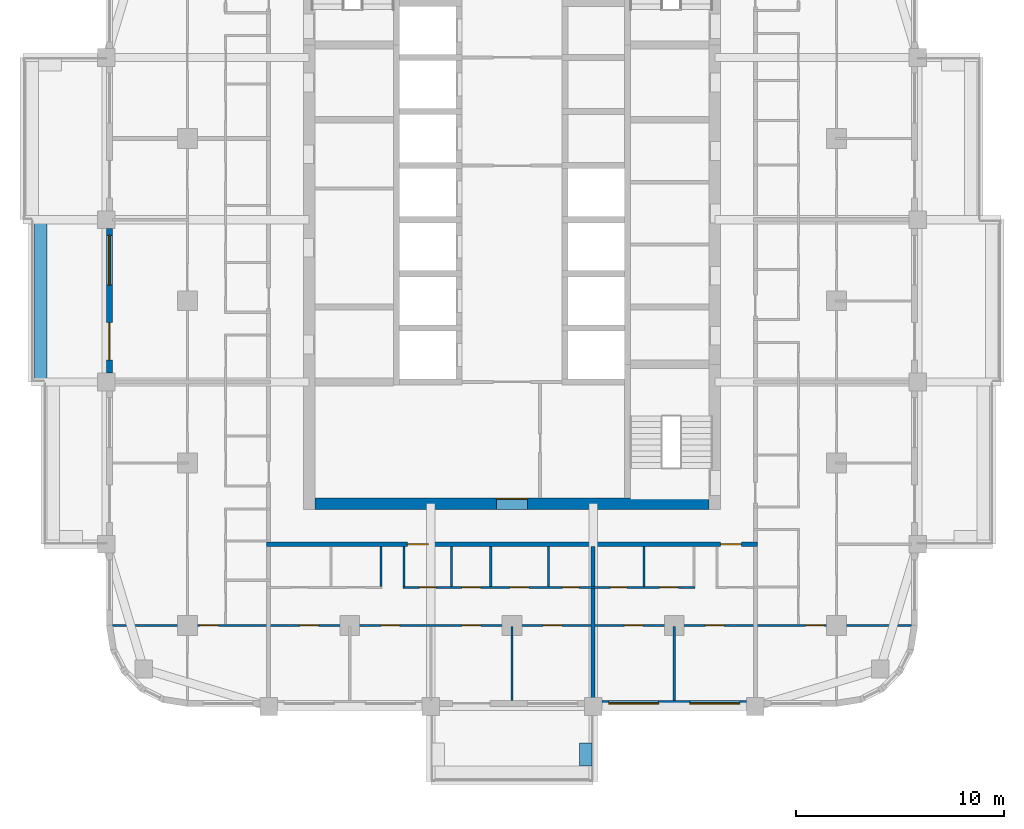
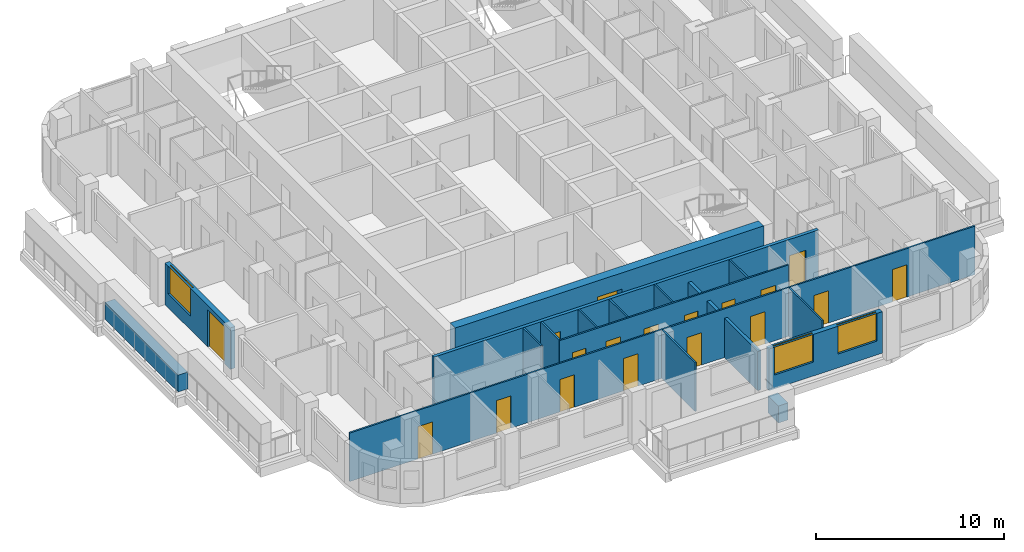
# One storey, part 3 of 13: 18 doors, 17 walls, 3 windows, 21 openings.
"""IFC4 building model written with IfcOpenShell, lengths in metres."""

from ifc_helpers import new_model, si_unit, direction, frame, frame_2d, origin, place, context, subcontext, project, spatial, rectangle, extrude, material, layer, layer_set, type_object, element, fill, save


model = new_model("IFC4")

# Units and contexts
model_context = context("Model", 3, precision=1e-05, world=origin(), true_north=direction((0.0, 1.0)))
body_context = subcontext(model_context, "Body", "Model", "MODEL_VIEW")
ifc_project = project(units=[si_unit("LENGTHUNIT", "METRE"), si_unit("AREAUNIT", "SQUARE_METRE"), si_unit("VOLUMEUNIT", "CUBIC_METRE"), si_unit("PLANEANGLEUNIT", "RADIAN"), si_unit("MASSUNIT", "GRAM", prefix="KILO")], contexts=[model_context])

# Site, building, storey
site_placement = place(None, origin())
site = spatial("IfcSite", under=ifc_project, at=site_placement, CompositionType="ELEMENT")
building_placement = place(site_placement, origin())
building = spatial("IfcBuilding", under=site, at=building_placement, Name="Ludao Terraces", CompositionType="ELEMENT")
storey_placement = place(building_placement, frame((0.0, 0.0, 130.5)))
storey = spatial("IfcBuildingStorey", under=building, at=storey_placement, Name="L35", CompositionType="ELEMENT", Elevation=130.5)

# Wall, opening, door
ifc_material_1 = material(Name="Concrete C60", Category="concrete")
ifc_layer_1 = layer(ifc_material_1, 0.550048828125)
ifc_layer_set_1 = layer_set([ifc_layer_1], Name="Core wall 550 C60")
wall_type_1 = type_object("IfcWallType", Name="Core wall 550 C60", PredefinedType="SOLIDWALL", material=ifc_layer_set_1)
wall_1_placement = place(storey_placement, frame((75.52490234375, 55.25, -0.25), z_axis=(0.0, 0.0, 1.0), x_axis=(1.0, 0.0, 0.0)))
wall_1 = element("IfcWall", 1, at=wall_1_placement, inside=storey, type_object=wall_type_1, Name="Core wall L35 outer-S", PredefinedType="SOLIDWALL", context=body_context, shape_type="SweptSolid", body=[
    extrude(rectangle(XDim=18.9501953125, YDim=0.550048828125, at=frame_2d((9.47509765625, 0.0))), origin(), (0.0, 0.0, 1.0), 3.39990234375),
])
opening_1_placement = place(wall_1_placement, frame((8.72509765625, 0.0, 0.25)))
opening_1 = element("IfcOpeningElement", 2, at=opening_1_placement, cuts=wall_1, Name="Opening R11-029", PredefinedType="OPENING", context=body_context, shape_type="SweptSolid", body=[
    extrude(rectangle(XDim=1.5, YDim=2.10009765625, at=frame_2d((0.75, 1.050048828125))), frame((0.0, 0.28515625, 0.0), z_axis=(0.0, -1.0, 0.0), x_axis=(1.0, 0.0, 0.0)), (0.0, 0.0, 1.0), 0.570068359375),
])
ifc_material_2 = material(Name="Steel Q235", Category="steel")
door_type_1 = type_object("IfcDoorType", Name="INT Lobby door 1500", OperationType="DOUBLE_DOOR_SINGLE_SWING", PredefinedType="DOOR", material=ifc_material_2)
door_1_placement = place(opening_1_placement, origin())
door_1 = element("IfcDoor", 3, at=door_1_placement, inside=storey, type_object=door_type_1, Name="DOOR 029", OperationType="DOUBLE_DOOR_SINGLE_SWING", OverallHeight=2.10009765625, OverallWidth=1.5, PredefinedType="DOOR", context=body_context, shape_type="SweptSolid", body=[
    extrude(rectangle(XDim=1.5, YDim=2.10009765625, at=frame_2d((0.75, 1.050048828125))), frame((0.0, 0.26025390625, 0.0), z_axis=(0.0, -1.0, 0.0), x_axis=(1.0, 0.0, 0.0)), (0.0, 0.0, 1.0), 0.050048828125),
])
fill(opening_1, door_1)

# Walls
ifc_material_3 = material(Name="Concrete C40", Category="concrete")
ifc_layer_2 = layer(ifc_material_3, 0.60009765625)
ifc_layer_set_2 = layer_set([ifc_layer_2], Name="ENV Planter trough 600")
wall_type_2 = type_object("IfcWallType", Name="ENV Planter trough 600", PredefinedType="USERDEFINED", material=ifc_layer_set_2)
wall_2_placement = place(storey_placement, frame((88.550048828125, 42.64990234375, 0.0), z_axis=(0.0, 0.0, 1.0), x_axis=(0.0, 1.0, 0.0)))
element("IfcWall", 4, at=wall_2_placement, inside=storey, type_object=wall_type_2, Name="PL-L35-S1-SB", ObjectType="PLANTER", PredefinedType="USERDEFINED", context=body_context, shape_type="SweptSolid", body=[
    extrude(rectangle(XDim=1.10009765625, YDim=0.60009765625, at=frame_2d((0.550048828125, 0.0))), origin(), (0.0, 0.0, 1.0), 1.10009765625),
])
wall_3_placement = place(storey_placement, frame((62.35009765625, 61.10009765625, 0.0), z_axis=(0.0, 0.0, 1.0), x_axis=(0.0, 1.0, 0.0)))
element("IfcWall", 5, at=wall_3_placement, inside=storey, type_object=wall_type_2, Name="PL-L35-W2", ObjectType="PLANTER", PredefinedType="USERDEFINED", context=body_context, shape_type="SweptSolid", body=[
    extrude(rectangle(XDim=7.7998046875, YDim=0.60009765625, at=frame_2d((3.89990234375, 0.0))), origin(), (0.0, 0.0, 1.0), 1.10009765625),
])

# Wall, openings, windows
ifc_material_4 = material(Name="Granite cladding", Category="masonry")
ifc_layer_3 = layer(ifc_material_4, 0.0400390625, Category="stone")
ifc_material_5 = material(Name="Mineral wool")
ifc_layer_4 = layer(ifc_material_5, 0.06005859375)
ifc_layer_5 = layer(ifc_material_3, 0.199951171875, Category="concrete")
ifc_layer_set_3 = layer_set([ifc_layer_3, ifc_layer_4, ifc_layer_5], Name="ENV Stone-clad wall 300")
wall_type_3 = type_object("IfcWallType", Name="ENV Stone-clad wall 300", PredefinedType="SOLIDWALL", material=ifc_layer_set_3)
wall_4_placement = place(storey_placement, frame((89.324951171875, 45.64990234375, 0.0), z_axis=(0.0, 0.0, 1.0), x_axis=(1.0, 0.0, 0.0)))
wall_4 = element("IfcWall", 6, at=wall_4_placement, inside=storey, type_object=wall_type_3, Name="EW-L35-S4", PredefinedType="SOLIDWALL", context=body_context, shape_type="SweptSolid", body=[
    extrude(rectangle(XDim=6.949951171875, YDim=0.300048828125, at=frame_2d((3.47509765625, 0.0))), origin(), (0.0, 0.0, 1.0), 2.699951171875),
])
opening_2_placement = place(wall_4_placement, frame((0.324951171875, 0.0, 0.89990234375)))
opening_2 = element("IfcOpeningElement", 7, at=opening_2_placement, cuts=wall_4, Name="Opening W1", PredefinedType="OPENING", context=body_context, shape_type="SweptSolid", body=[
    extrude(rectangle(XDim=2.39990234375, YDim=1.800048828125, at=frame_2d((1.199951171875, 0.89990234375))), frame((0.0, 0.16015625, 0.0), z_axis=(0.0, -1.0, 0.0), x_axis=(1.0, 0.0, 0.0)), (0.0, 0.0, 1.0), 0.320068359375),
])
opening_3_placement = place(wall_4_placement, frame((4.22509765625, 0.0, 0.89990234375)))
opening_3 = element("IfcOpeningElement", 8, at=opening_3_placement, cuts=wall_4, Name="Opening W1", PredefinedType="OPENING", context=body_context, shape_type="SweptSolid", body=[
    extrude(rectangle(XDim=2.39990234375, YDim=1.800048828125, at=frame_2d((1.199951171875, 0.89990234375))), frame((0.0, 0.16015625, 0.0), z_axis=(0.0, -1.0, 0.0), x_axis=(1.0, 0.0, 0.0)), (0.0, 0.0, 1.0), 0.320068359375),
])
ifc_material_6 = material(Name="Clear glass in aluminium frame", Category="aluminium")
ifc_layer_6 = layer(ifc_material_6, 0.06005859375)
ifc_layer_set_4 = layer_set([ifc_layer_6], Name="ENV Window W1 2400x1800")
window_type = type_object("IfcWindowType", Name="ENV Window W1 2400x1800", PartitioningType="DOUBLE_PANEL_VERTICAL", PredefinedType="WINDOW", material=ifc_layer_set_4)
window_1_placement = place(opening_2_placement, origin())
window_1 = element("IfcWindow", 9, at=window_1_placement, inside=storey, type_object=window_type, Name="W-L35-S4-1", OverallHeight=1.800048828125, OverallWidth=2.39990234375, PartitioningType="DOUBLE_PANEL_VERTICAL", PredefinedType="WINDOW", context=body_context, shape_type="SweptSolid", body=[
    extrude(rectangle(XDim=2.39990234375, YDim=1.800048828125, at=frame_2d((1.199951171875, 0.89990234375))), frame((0.0, 0.030029296875, 0.0), z_axis=(0.0, -1.0, 0.0), x_axis=(1.0, 0.0, 0.0)), (0.0, 0.0, 1.0), 0.06005859375),
])
fill(opening_2, window_1)
window_2_placement = place(opening_3_placement, origin())
window_2 = element("IfcWindow", 10, at=window_2_placement, inside=storey, type_object=window_type, Name="W-L35-S4-2", OverallHeight=1.800048828125, OverallWidth=2.39990234375, PartitioningType="DOUBLE_PANEL_VERTICAL", PredefinedType="WINDOW", context=body_context, shape_type="SweptSolid", body=[
    extrude(rectangle(XDim=2.39990234375, YDim=1.800048828125, at=frame_2d((1.199951171875, 0.89990234375))), frame((0.0, 0.030029296875, 0.0), z_axis=(0.0, -1.0, 0.0), x_axis=(1.0, 0.0, 0.0)), (0.0, 0.0, 1.0), 0.06005859375),
])
fill(opening_3, window_2)

# Wall, openings, door, window
wall_5_placement = place(storey_placement, frame((65.64990234375, 61.52490234375, 0.0), z_axis=(0.0, 0.0, 1.0), x_axis=(0.0, 1.0, 0.0)))
wall_5 = element("IfcWall", 11, at=wall_5_placement, inside=storey, type_object=wall_type_3, Name="EW-L35-W3", PredefinedType="SOLIDWALL", context=body_context, shape_type="SweptSolid", body=[
    extrude(rectangle(XDim=6.9501953125, YDim=0.300048828125, at=frame_2d((3.47509765625, 0.0))), origin(), (0.0, 0.0, 1.0), 2.699951171875),
])
opening_4_placement = place(wall_5_placement, frame((0.625, 0.0, 0.0)))
opening_4 = element("IfcOpeningElement", 12, at=opening_4_placement, cuts=wall_5, Name="Opening BD", PredefinedType="OPENING", context=body_context, shape_type="SweptSolid", body=[
    extrude(rectangle(XDim=1.800048828125, YDim=2.39990234375, at=frame_2d((0.89990234375, 1.199951171875))), frame((0.0, 0.16015625, 0.0), z_axis=(0.0, -1.0, 0.0), x_axis=(1.0, 0.0, 0.0)), (0.0, 0.0, 1.0), 0.320068359375),
])
opening_5_placement = place(wall_5_placement, frame((4.22509765625, 0.0, 0.89990234375)))
opening_5 = element("IfcOpeningElement", 13, at=opening_5_placement, cuts=wall_5, Name="Opening W1", PredefinedType="OPENING", context=body_context, shape_type="SweptSolid", body=[
    extrude(rectangle(XDim=2.39990234375, YDim=1.800048828125, at=frame_2d((1.199951171875, 0.89990234375))), frame((0.0, 0.16015625, 0.0), z_axis=(0.0, -1.0, 0.0), x_axis=(1.0, 0.0, 0.0)), (0.0, 0.0, 1.0), 0.320068359375),
])
ifc_material_7 = material(Name="Aluminium glazed door", Category="aluminium")
ifc_layer_7 = layer(ifc_material_7, 0.06005859375)
ifc_layer_set_5 = layer_set([ifc_layer_7], Name="ENV Balcony door BD 1800x2400")
door_type_2 = type_object("IfcDoorType", Name="ENV Balcony door BD 1800x2400", OperationType="DOUBLE_DOOR_SINGLE_SWING", PredefinedType="DOOR", material=ifc_layer_set_5)
door_2_placement = place(opening_4_placement, origin())
door_2 = element("IfcDoor", 14, at=door_2_placement, inside=storey, type_object=door_type_2, Name="BD-L35-W3-1", OperationType="DOUBLE_DOOR_SINGLE_SWING", OverallHeight=2.39990234375, OverallWidth=1.800048828125, PredefinedType="DOOR", context=body_context, shape_type="SweptSolid", body=[
    extrude(rectangle(XDim=1.800048828125, YDim=2.39990234375, at=frame_2d((0.89990234375, 1.199951171875))), frame((0.0, 0.02490234375, 0.0), z_axis=(0.0, -1.0, 0.0), x_axis=(1.0, 0.0, 0.0)), (0.0, 0.0, 1.0), 0.050048828125),
])
fill(opening_4, door_2)
window_3_placement = place(opening_5_placement, origin())
window_3 = element("IfcWindow", 15, at=window_3_placement, inside=storey, type_object=window_type, Name="W-L35-W3-2", OverallHeight=1.800048828125, OverallWidth=2.39990234375, PartitioningType="DOUBLE_PANEL_VERTICAL", PredefinedType="WINDOW", context=body_context, shape_type="SweptSolid", body=[
    extrude(rectangle(XDim=2.39990234375, YDim=1.800048828125, at=frame_2d((1.199951171875, 0.89990234375))), frame((0.0, 0.030029296875, 0.0), z_axis=(0.0, -1.0, 0.0), x_axis=(1.0, 0.0, 0.0)), (0.0, 0.0, 1.0), 0.06005859375),
])
fill(opening_5, window_3)

# Wall, openings, doors
ifc_material_8 = material(Name="Autoclaved aerated concrete block B06 A3.5", Category="concrete")
ifc_layer_8 = layer(ifc_material_8, 0.199951171875)
ifc_layer_set_6 = layer_set([ifc_layer_8], Name="INT Entrance wall 200")
wall_type_4 = type_object("IfcWallType", Name="INT Entrance wall 200", PredefinedType="PARTITIONING", material=ifc_layer_set_6)
wall_6_placement = place(storey_placement, frame((73.2001953125, 53.300048828125, 0.0), z_axis=(0.0, 0.0, 1.0), x_axis=(1.0, 0.0, 0.0)))
wall_6 = element("IfcWall", 16, at=wall_6_placement, inside=storey, type_object=wall_type_4, Name="PW-L35-PW006", PredefinedType="PARTITIONING", context=body_context, shape_type="SweptSolid", body=[
    extrude(rectangle(XDim=23.599853515625, YDim=0.199951171875, at=frame_2d((11.7998046875, 0.0))), origin(), (0.0, 0.0, 1.0), 3.14990234375),
])
opening_6_placement = place(wall_6_placement, frame((6.77490234375, 0.0, 0.0)))
opening_6 = element("IfcOpeningElement", 17, at=opening_6_placement, cuts=wall_6, Name="Opening R11-026", PredefinedType="OPENING", context=body_context, shape_type="SweptSolid", body=[
    extrude(rectangle(XDim=1.0, YDim=2.10009765625, at=frame_2d((0.5, 1.050048828125))), frame((0.0, 0.10986328125, 0.0), z_axis=(0.0, -1.0, 0.0), x_axis=(1.0, 0.0, 0.0)), (0.0, 0.0, 1.0), 0.219970703125),
])
opening_7_placement = place(wall_6_placement, frame((21.824951171875, 0.0, 0.0)))
opening_7 = element("IfcOpeningElement", 18, at=opening_7_placement, cuts=wall_6, Name="Opening R11-027", PredefinedType="OPENING", context=body_context, shape_type="SweptSolid", body=[
    extrude(rectangle(XDim=1.0, YDim=2.10009765625, at=frame_2d((0.5, 1.050048828125))), frame((0.0, 0.10986328125, 0.0), z_axis=(0.0, -1.0, 0.0), x_axis=(1.0, 0.0, 0.0)), (0.0, 0.0, 1.0), 0.219970703125),
])
door_type_3 = type_object("IfcDoorType", Name="INT Flat entrance door 1000", OperationType="SINGLE_SWING_LEFT", PredefinedType="DOOR", material=ifc_material_2)
door_3_placement = place(opening_6_placement, origin())
door_3 = element("IfcDoor", 19, at=door_3_placement, inside=storey, type_object=door_type_3, Name="DOOR 026", OperationType="SINGLE_SWING_LEFT", OverallHeight=2.10009765625, OverallWidth=1.0, PredefinedType="DOOR", context=body_context, shape_type="SweptSolid", body=[
    extrude(rectangle(XDim=1.0, YDim=2.10009765625, at=frame_2d((0.5, 1.050048828125))), frame((0.0, 0.02490234375, 0.0), z_axis=(0.0, -1.0, 0.0), x_axis=(1.0, 0.0, 0.0)), (0.0, 0.0, 1.0), 0.050048828125),
])
fill(opening_6, door_3)
door_4_placement = place(opening_7_placement, origin())
door_4 = element("IfcDoor", 20, at=door_4_placement, inside=storey, type_object=door_type_3, Name="DOOR 027", OperationType="SINGLE_SWING_LEFT", OverallHeight=2.10009765625, OverallWidth=1.0, PredefinedType="DOOR", context=body_context, shape_type="SweptSolid", body=[
    extrude(rectangle(XDim=1.0, YDim=2.10009765625, at=frame_2d((0.5, 1.050048828125))), frame((0.0, 0.02490234375, 0.0), z_axis=(0.0, -1.0, 0.0), x_axis=(1.0, 0.0, 0.0)), (0.0, 0.0, 1.0), 0.050048828125),
])
fill(opening_7, door_4)

ifc_material_9 = material(Name="Gypsum plasterboard", Category="gypsum")
ifc_layer_9 = layer(ifc_material_9, 0.012451171875, Category="gypsum")
ifc_layer_10 = layer(ifc_material_5, 0.06005859375, Name="insulation")
ifc_layer_11 = layer(ifc_material_2, 0.014892578125, Name="stud")
ifc_layer_12 = layer(ifc_material_9, 0.012451171875, Category="gypsum")
ifc_layer_set_7 = layer_set([ifc_layer_9, ifc_layer_10, ifc_layer_11, ifc_layer_12], Name="INT Partition 100")
wall_type_5 = type_object("IfcWallType", Name="INT Partition 100", PredefinedType="PARTITIONING", material=ifc_layer_set_7)
wall_7_placement = place(storey_placement, frame((65.800048828125, 49.39990234375, 0.0), z_axis=(0.0, 0.0, 1.0), x_axis=(1.0, 0.0, 0.0)))
wall_7 = element("IfcWall", 21, at=wall_7_placement, inside=storey, type_object=wall_type_5, Name="PW-L35-PW000", PredefinedType="PARTITIONING", context=body_context, shape_type="SweptSolid", body=[
    extrude(rectangle(XDim=38.400146484375, YDim=0.10009765625, at=frame_2d((19.2001953125, 0.0))), origin(), (0.0, 0.0, 1.0), 3.14990234375),
])
opening_8_placement = place(wall_7_placement, frame((4.18994140625, 0.0, 0.0)))
opening_8 = element("IfcOpeningElement", 22, at=opening_8_placement, cuts=wall_7, Name="Opening R11-003", PredefinedType="OPENING", context=body_context, shape_type="SweptSolid", body=[
    extrude(rectangle(XDim=0.89990234375, YDim=2.10009765625, at=frame_2d((0.449951171875, 1.050048828125))), frame((0.0, 0.06005859375, 0.0), z_axis=(0.0, -1.0, 0.0), x_axis=(1.0, 0.0, 0.0)), (0.0, 0.0, 1.0), 0.1201171875),
])
opening_9_placement = place(wall_7_placement, frame((9.0, 0.0, 0.0)))
opening_9 = element("IfcOpeningElement", 23, at=opening_9_placement, cuts=wall_7, Name="Opening R11-004", PredefinedType="OPENING", context=body_context, shape_type="SweptSolid", body=[
    extrude(rectangle(XDim=0.89990234375, YDim=2.10009765625, at=frame_2d((0.449951171875, 1.050048828125))), frame((0.0, 0.06005859375, 0.0), z_axis=(0.0, -1.0, 0.0), x_axis=(1.0, 0.0, 0.0)), (0.0, 0.0, 1.0), 0.1201171875),
])
opening_10_placement = place(wall_7_placement, frame((12.89990234375, 0.0, 0.0)))
opening_10 = element("IfcOpeningElement", 24, at=opening_10_placement, cuts=wall_7, Name="Opening R11-005", PredefinedType="OPENING", context=body_context, shape_type="SweptSolid", body=[
    extrude(rectangle(XDim=0.89990234375, YDim=2.10009765625, at=frame_2d((0.449951171875, 1.050048828125))), frame((0.0, 0.06005859375, 0.0), z_axis=(0.0, -1.0, 0.0), x_axis=(1.0, 0.0, 0.0)), (0.0, 0.0, 1.0), 0.1201171875),
])
opening_11_placement = place(wall_7_placement, frame((16.800048828125, 0.0, 0.0)))
opening_11 = element("IfcOpeningElement", 25, at=opening_11_placement, cuts=wall_7, Name="Opening R11-006", PredefinedType="OPENING", context=body_context, shape_type="SweptSolid", body=[
    extrude(rectangle(XDim=0.89990234375, YDim=2.10009765625, at=frame_2d((0.449951171875, 1.050048828125))), frame((0.0, 0.06005859375, 0.0), z_axis=(0.0, -1.0, 0.0), x_axis=(1.0, 0.0, 0.0)), (0.0, 0.0, 1.0), 0.1201171875),
])
opening_12_placement = place(wall_7_placement, frame((20.699951171875, 0.0, 0.0)))
opening_12 = element("IfcOpeningElement", 26, at=opening_12_placement, cuts=wall_7, Name="Opening R11-007", PredefinedType="OPENING", context=body_context, shape_type="SweptSolid", body=[
    extrude(rectangle(XDim=0.89990234375, YDim=2.10009765625, at=frame_2d((0.449951171875, 1.050048828125))), frame((0.0, 0.06005859375, 0.0), z_axis=(0.0, -1.0, 0.0), x_axis=(1.0, 0.0, 0.0)), (0.0, 0.0, 1.0), 0.1201171875),
])
opening_13_placement = place(wall_7_placement, frame((24.60009765625, 0.0, 0.0)))
opening_13 = element("IfcOpeningElement", 27, at=opening_13_placement, cuts=wall_7, Name="Opening R11-008", PredefinedType="OPENING", context=body_context, shape_type="SweptSolid", body=[
    extrude(rectangle(XDim=0.89990234375, YDim=2.10009765625, at=frame_2d((0.449951171875, 1.050048828125))), frame((0.0, 0.06005859375, 0.0), z_axis=(0.0, -1.0, 0.0), x_axis=(1.0, 0.0, 0.0)), (0.0, 0.0, 1.0), 0.1201171875),
])
opening_14_placement = place(wall_7_placement, frame((28.5, 0.0, 0.0)))
opening_14 = element("IfcOpeningElement", 28, at=opening_14_placement, cuts=wall_7, Name="Opening R11-009", PredefinedType="OPENING", context=body_context, shape_type="SweptSolid", body=[
    extrude(rectangle(XDim=0.89990234375, YDim=2.10009765625, at=frame_2d((0.449951171875, 1.050048828125))), frame((0.0, 0.06005859375, 0.0), z_axis=(0.0, -1.0, 0.0), x_axis=(1.0, 0.0, 0.0)), (0.0, 0.0, 1.0), 0.1201171875),
])
opening_15_placement = place(wall_7_placement, frame((33.31005859375, 0.0, 0.0)))
opening_15 = element("IfcOpeningElement", 29, at=opening_15_placement, cuts=wall_7, Name="Opening R11-010", PredefinedType="OPENING", context=body_context, shape_type="SweptSolid", body=[
    extrude(rectangle(XDim=0.89990234375, YDim=2.10009765625, at=frame_2d((0.449951171875, 1.050048828125))), frame((0.0, 0.06005859375, 0.0), z_axis=(0.0, -1.0, 0.0), x_axis=(1.0, 0.0, 0.0)), (0.0, 0.0, 1.0), 0.1201171875),
])
ifc_material_10 = material(Name="Timber door leaf", Category="wood")
door_type_4 = type_object("IfcDoorType", Name="INT Room door 900", OperationType="SINGLE_SWING_LEFT", PredefinedType="DOOR", material=ifc_material_10)
door_5_placement = place(opening_8_placement, origin())
door_5 = element("IfcDoor", 30, at=door_5_placement, inside=storey, type_object=door_type_4, Name="DOOR 003", OperationType="SINGLE_SWING_RIGHT", OverallHeight=2.10009765625, OverallWidth=0.89990234375, PredefinedType="DOOR", context=body_context, shape_type="SweptSolid", body=[
    extrude(rectangle(XDim=0.89990234375, YDim=2.10009765625, at=frame_2d((0.449951171875, 1.050048828125))), frame((0.0, 0.02490234375, 0.0), z_axis=(0.0, -1.0, 0.0), x_axis=(1.0, 0.0, 0.0)), (0.0, 0.0, 1.0), 0.050048828125),
])
fill(opening_8, door_5)
door_6_placement = place(opening_9_placement, origin())
door_6 = element("IfcDoor", 31, at=door_6_placement, inside=storey, type_object=door_type_4, Name="DOOR 004", OperationType="SINGLE_SWING_LEFT", OverallHeight=2.10009765625, OverallWidth=0.89990234375, PredefinedType="DOOR", context=body_context, shape_type="SweptSolid", body=[
    extrude(rectangle(XDim=0.89990234375, YDim=2.10009765625, at=frame_2d((0.449951171875, 1.050048828125))), frame((0.0, 0.02490234375, 0.0), z_axis=(0.0, -1.0, 0.0), x_axis=(1.0, 0.0, 0.0)), (0.0, 0.0, 1.0), 0.050048828125),
])
fill(opening_9, door_6)
door_7_placement = place(opening_10_placement, origin())
door_7 = element("IfcDoor", 32, at=door_7_placement, inside=storey, type_object=door_type_4, Name="DOOR 005", OperationType="SINGLE_SWING_LEFT", OverallHeight=2.10009765625, OverallWidth=0.89990234375, PredefinedType="DOOR", context=body_context, shape_type="SweptSolid", body=[
    extrude(rectangle(XDim=0.89990234375, YDim=2.10009765625, at=frame_2d((0.449951171875, 1.050048828125))), frame((0.0, 0.02490234375, 0.0), z_axis=(0.0, -1.0, 0.0), x_axis=(1.0, 0.0, 0.0)), (0.0, 0.0, 1.0), 0.050048828125),
])
fill(opening_10, door_7)
door_8_placement = place(opening_11_placement, origin())
door_8 = element("IfcDoor", 33, at=door_8_placement, inside=storey, type_object=door_type_4, Name="DOOR 006", OperationType="SINGLE_SWING_RIGHT", OverallHeight=2.10009765625, OverallWidth=0.89990234375, PredefinedType="DOOR", context=body_context, shape_type="SweptSolid", body=[
    extrude(rectangle(XDim=0.89990234375, YDim=2.10009765625, at=frame_2d((0.449951171875, 1.050048828125))), frame((0.0, 0.02490234375, 0.0), z_axis=(0.0, -1.0, 0.0), x_axis=(1.0, 0.0, 0.0)), (0.0, 0.0, 1.0), 0.050048828125),
])
fill(opening_11, door_8)
door_9_placement = place(opening_12_placement, origin())
door_9 = element("IfcDoor", 34, at=door_9_placement, inside=storey, type_object=door_type_4, Name="DOOR 007", OperationType="SINGLE_SWING_LEFT", OverallHeight=2.10009765625, OverallWidth=0.89990234375, PredefinedType="DOOR", context=body_context, shape_type="SweptSolid", body=[
    extrude(rectangle(XDim=0.89990234375, YDim=2.10009765625, at=frame_2d((0.449951171875, 1.050048828125))), frame((0.0, 0.02490234375, 0.0), z_axis=(0.0, -1.0, 0.0), x_axis=(1.0, 0.0, 0.0)), (0.0, 0.0, 1.0), 0.050048828125),
])
fill(opening_12, door_9)
door_10_placement = place(opening_13_placement, origin())
door_10 = element("IfcDoor", 35, at=door_10_placement, inside=storey, type_object=door_type_4, Name="DOOR 008", OperationType="SINGLE_SWING_LEFT", OverallHeight=2.10009765625, OverallWidth=0.89990234375, PredefinedType="DOOR", context=body_context, shape_type="SweptSolid", body=[
    extrude(rectangle(XDim=0.89990234375, YDim=2.10009765625, at=frame_2d((0.449951171875, 1.050048828125))), frame((0.0, 0.02490234375, 0.0), z_axis=(0.0, -1.0, 0.0), x_axis=(1.0, 0.0, 0.0)), (0.0, 0.0, 1.0), 0.050048828125),
])
fill(opening_13, door_10)
door_11_placement = place(opening_14_placement, origin())
door_11 = element("IfcDoor", 36, at=door_11_placement, inside=storey, type_object=door_type_4, Name="DOOR 009", OperationType="SINGLE_SWING_RIGHT", OverallHeight=2.10009765625, OverallWidth=0.89990234375, PredefinedType="DOOR", context=body_context, shape_type="SweptSolid", body=[
    extrude(rectangle(XDim=0.89990234375, YDim=2.10009765625, at=frame_2d((0.449951171875, 1.050048828125))), frame((0.0, 0.02490234375, 0.0), z_axis=(0.0, -1.0, 0.0), x_axis=(1.0, 0.0, 0.0)), (0.0, 0.0, 1.0), 0.050048828125),
])
fill(opening_14, door_11)
door_12_placement = place(opening_15_placement, origin())
door_12 = element("IfcDoor", 37, at=door_12_placement, inside=storey, type_object=door_type_4, Name="DOOR 010", OperationType="SINGLE_SWING_LEFT", OverallHeight=2.10009765625, OverallWidth=0.89990234375, PredefinedType="DOOR", context=body_context, shape_type="SweptSolid", body=[
    extrude(rectangle(XDim=0.89990234375, YDim=2.10009765625, at=frame_2d((0.449951171875, 1.050048828125))), frame((0.0, 0.02490234375, 0.0), z_axis=(0.0, -1.0, 0.0), x_axis=(1.0, 0.0, 0.0)), (0.0, 0.0, 1.0), 0.050048828125),
])
fill(opening_15, door_12)

wall_8_placement = place(storey_placement, frame((79.75, 51.22998046875, 0.0), z_axis=(0.0, 0.0, 1.0), x_axis=(1.0, 0.0, 0.0)))
wall_8 = element("IfcWall", 38, at=wall_8_placement, inside=storey, type_object=wall_type_5, Name="PW-L35-PW002", PredefinedType="PARTITIONING", context=body_context, shape_type="SweptSolid", body=[
    extrude(rectangle(XDim=14.050048828125, YDim=0.10009765625, at=frame_2d((7.02490234375, 0.0))), origin(), (0.0, 0.0, 1.0), 3.14990234375),
])
opening_16_placement = place(wall_8_placement, frame((0.800048828125, 0.0, 0.0)))
opening_16 = element("IfcOpeningElement", 39, at=opening_16_placement, cuts=wall_8, Name="Opening R11-015", PredefinedType="OPENING", context=body_context, shape_type="SweptSolid", body=[
    extrude(rectangle(XDim=0.800048828125, YDim=2.10009765625, at=frame_2d((0.39990234375, 1.050048828125))), frame((0.0, 0.06005859375, 0.0), z_axis=(0.0, -1.0, 0.0), x_axis=(1.0, 0.0, 0.0)), (0.0, 0.0, 1.0), 0.1201171875),
])
opening_17_placement = place(wall_8_placement, frame((2.840087890625, 0.0, 0.0)))
opening_17 = element("IfcOpeningElement", 40, at=opening_17_placement, cuts=wall_8, Name="Opening R11-016", PredefinedType="OPENING", context=body_context, shape_type="SweptSolid", body=[
    extrude(rectangle(XDim=0.89990234375, YDim=2.10009765625, at=frame_2d((0.449951171875, 1.050048828125))), frame((0.0, 0.06005859375, 0.0), z_axis=(0.0, -1.0, 0.0), x_axis=(1.0, 0.0, 0.0)), (0.0, 0.0, 1.0), 0.1201171875),
])
opening_18_placement = place(wall_8_placement, frame((5.1650390625, 0.0, 0.0)))
opening_18 = element("IfcOpeningElement", 41, at=opening_18_placement, cuts=wall_8, Name="Opening R11-017", PredefinedType="OPENING", context=body_context, shape_type="SweptSolid", body=[
    extrude(rectangle(XDim=0.89990234375, YDim=2.10009765625, at=frame_2d((0.449951171875, 1.050048828125))), frame((0.0, 0.06005859375, 0.0), z_axis=(0.0, -1.0, 0.0), x_axis=(1.0, 0.0, 0.0)), (0.0, 0.0, 1.0), 0.1201171875),
])
opening_19_placement = place(wall_8_placement, frame((7.675048828125, 0.0, 0.0)))
opening_19 = element("IfcOpeningElement", 42, at=opening_19_placement, cuts=wall_8, Name="Opening R11-018", PredefinedType="OPENING", context=body_context, shape_type="SweptSolid", body=[
    extrude(rectangle(XDim=0.800048828125, YDim=2.10009765625, at=frame_2d((0.39990234375, 1.050048828125))), frame((0.0, 0.06005859375, 0.0), z_axis=(0.0, -1.0, 0.0), x_axis=(1.0, 0.0, 0.0)), (0.0, 0.0, 1.0), 0.1201171875),
])
opening_20_placement = place(wall_8_placement, frame((9.97509765625, 0.0, 0.0)))
opening_20 = element("IfcOpeningElement", 43, at=opening_20_placement, cuts=wall_8, Name="Opening R11-019", PredefinedType="OPENING", context=body_context, shape_type="SweptSolid", body=[
    extrude(rectangle(XDim=0.800048828125, YDim=2.10009765625, at=frame_2d((0.39990234375, 1.050048828125))), frame((0.0, 0.06005859375, 0.0), z_axis=(0.0, -1.0, 0.0), x_axis=(1.0, 0.0, 0.0)), (0.0, 0.0, 1.0), 0.1201171875),
])
opening_21_placement = place(wall_8_placement, frame((12.35009765625, 0.0, 0.0)))
opening_21 = element("IfcOpeningElement", 44, at=opening_21_placement, cuts=wall_8, Name="Opening R11-020", PredefinedType="OPENING", context=body_context, shape_type="SweptSolid", body=[
    extrude(rectangle(XDim=0.89990234375, YDim=2.10009765625, at=frame_2d((0.449951171875, 1.050048828125))), frame((0.0, 0.06005859375, 0.0), z_axis=(0.0, -1.0, 0.0), x_axis=(1.0, 0.0, 0.0)), (0.0, 0.0, 1.0), 0.1201171875),
])
door_type_5 = type_object("IfcDoorType", Name="INT Bathroom door 900", OperationType="SINGLE_SWING_LEFT", PredefinedType="DOOR", material=ifc_material_10)
door_13_placement = place(opening_17_placement, origin())
door_13 = element("IfcDoor", 45, at=door_13_placement, inside=storey, type_object=door_type_5, Name="DOOR 016", OperationType="SINGLE_SWING_LEFT", OverallHeight=2.10009765625, OverallWidth=0.89990234375, PredefinedType="DOOR", context=body_context, shape_type="SweptSolid", body=[
    extrude(rectangle(XDim=0.89990234375, YDim=2.10009765625, at=frame_2d((0.449951171875, 1.050048828125))), frame((0.0, 0.02490234375, 0.0), z_axis=(0.0, -1.0, 0.0), x_axis=(1.0, 0.0, 0.0)), (0.0, 0.0, 1.0), 0.050048828125),
])
fill(opening_17, door_13)
door_14_placement = place(opening_21_placement, origin())
door_14 = element("IfcDoor", 46, at=door_14_placement, inside=storey, type_object=door_type_5, Name="DOOR 020", OperationType="SINGLE_SWING_LEFT", OverallHeight=2.10009765625, OverallWidth=0.89990234375, PredefinedType="DOOR", context=body_context, shape_type="SweptSolid", body=[
    extrude(rectangle(XDim=0.89990234375, YDim=2.10009765625, at=frame_2d((0.449951171875, 1.050048828125))), frame((0.0, 0.02490234375, 0.0), z_axis=(0.0, -1.0, 0.0), x_axis=(1.0, 0.0, 0.0)), (0.0, 0.0, 1.0), 0.050048828125),
])
fill(opening_21, door_14)
door_15_placement = place(opening_18_placement, origin())
door_15 = element("IfcDoor", 47, at=door_15_placement, inside=storey, type_object=door_type_4, Name="DOOR 017", OperationType="SINGLE_SWING_LEFT", OverallHeight=2.10009765625, OverallWidth=0.89990234375, PredefinedType="DOOR", context=body_context, shape_type="SweptSolid", body=[
    extrude(rectangle(XDim=0.89990234375, YDim=2.10009765625, at=frame_2d((0.449951171875, 1.050048828125))), frame((0.0, 0.02490234375, 0.0), z_axis=(0.0, -1.0, 0.0), x_axis=(1.0, 0.0, 0.0)), (0.0, 0.0, 1.0), 0.050048828125),
])
fill(opening_18, door_15)
door_type_6 = type_object("IfcDoorType", Name="INT Store door 800", OperationType="SINGLE_SWING_LEFT", PredefinedType="DOOR", material=ifc_material_10)
door_16_placement = place(opening_16_placement, origin())
door_16 = element("IfcDoor", 48, at=door_16_placement, inside=storey, type_object=door_type_6, Name="DOOR 015", OperationType="SINGLE_SWING_LEFT", OverallHeight=2.10009765625, OverallWidth=0.800048828125, PredefinedType="DOOR", context=body_context, shape_type="SweptSolid", body=[
    extrude(rectangle(XDim=0.800048828125, YDim=2.10009765625, at=frame_2d((0.39990234375, 1.050048828125))), frame((0.0, 0.02490234375, 0.0), z_axis=(0.0, -1.0, 0.0), x_axis=(1.0, 0.0, 0.0)), (0.0, 0.0, 1.0), 0.050048828125),
])
fill(opening_16, door_16)
door_17_placement = place(opening_19_placement, origin())
door_17 = element("IfcDoor", 49, at=door_17_placement, inside=storey, type_object=door_type_6, Name="DOOR 018", OperationType="SINGLE_SWING_RIGHT", OverallHeight=2.10009765625, OverallWidth=0.800048828125, PredefinedType="DOOR", context=body_context, shape_type="SweptSolid", body=[
    extrude(rectangle(XDim=0.800048828125, YDim=2.10009765625, at=frame_2d((0.39990234375, 1.050048828125))), frame((0.0, 0.02490234375, 0.0), z_axis=(0.0, -1.0, 0.0), x_axis=(1.0, 0.0, 0.0)), (0.0, 0.0, 1.0), 0.050048828125),
])
fill(opening_19, door_17)
door_18_placement = place(opening_20_placement, origin())
door_18 = element("IfcDoor", 50, at=door_18_placement, inside=storey, type_object=door_type_6, Name="DOOR 019", OperationType="SINGLE_SWING_LEFT", OverallHeight=2.10009765625, OverallWidth=0.800048828125, PredefinedType="DOOR", context=body_context, shape_type="SweptSolid", body=[
    extrude(rectangle(XDim=0.800048828125, YDim=2.10009765625, at=frame_2d((0.39990234375, 1.050048828125))), frame((0.0, 0.02490234375, 0.0), z_axis=(0.0, -1.0, 0.0), x_axis=(1.0, 0.0, 0.0)), (0.0, 0.0, 1.0), 0.050048828125),
])
fill(opening_20, door_18)

# Walls
for number, where, z_axis, x_axis, name in (
    (51, (78.699951171875, 51.280029296875, 0.0), (0.0, 0.0, 1.0), (0.0, 1.0, 0.0), "PW-L35-PW056"),
    (52, (79.800048828125, 51.280029296875, 0.0), (0.0, 0.0, 1.0), (0.0, 1.0, 0.0), "PW-L35-PW057"),
    (53, (82.10009765625, 51.280029296875, 0.0), (0.0, 0.0, 1.0), (0.0, 1.0, 0.0), "PW-L35-PW059"),
    (54, (83.97998046875, 51.280029296875, 0.0), (0.0, 0.0, 1.0), (0.0, 1.0, 0.0), "PW-L35-PW060"),
):
    element("IfcWall", number, at=place(storey_placement, frame(where, z_axis=z_axis, x_axis=x_axis)), inside=storey, type_object=wall_type_5, Name=name, PredefinedType="PARTITIONING", context=body_context, shape_type="SweptSolid", body=[
        extrude(rectangle(XDim=1.920166015625, YDim=0.10009765625, at=frame_2d((0.9599609375, 0.0))), origin(), (0.0, 0.0, 1.0), 3.14990234375),
    ])
wall_9_placement = place(storey_placement, frame((85.0, 45.800048828125, 0.0), z_axis=(0.0, 0.0, 1.0), x_axis=(0.0, 1.0, 0.0)))
element("IfcWall", 55, at=wall_9_placement, inside=storey, type_object=wall_type_5, Name="PW-L35-PW061", PredefinedType="PARTITIONING", context=body_context, shape_type="SweptSolid", body=[
    extrude(rectangle(XDim=3.550048828125, YDim=0.10009765625, at=frame_2d((1.77490234375, 0.0))), origin(), (0.0, 0.0, 1.0), 3.14990234375),
])
for number, where, z_axis, x_axis, name in (
    (56, (86.75, 51.280029296875, 0.0), (0.0, 0.0, 1.0), (0.0, 1.0, 0.0), "PW-L35-PW063"),
    (57, (91.35009765625, 51.280029296875, 0.0), (0.0, 0.0, 1.0), (0.0, 1.0, 0.0), "PW-L35-PW065"),
):
    element("IfcWall", number, at=place(storey_placement, frame(where, z_axis=z_axis, x_axis=x_axis)), inside=storey, type_object=wall_type_5, Name=name, PredefinedType="PARTITIONING", context=body_context, shape_type="SweptSolid", body=[
        extrude(rectangle(XDim=1.920166015625, YDim=0.10009765625, at=frame_2d((0.9599609375, 0.0))), origin(), (0.0, 0.0, 1.0), 3.14990234375),
    ])
wall_10_placement = place(storey_placement, frame((92.800048828125, 45.800048828125, 0.0), z_axis=(0.0, 0.0, 1.0), x_axis=(0.0, 1.0, 0.0)))
element("IfcWall", 58, at=wall_10_placement, inside=storey, type_object=wall_type_5, Name="PW-L35-PW066", PredefinedType="PARTITIONING", context=body_context, shape_type="SweptSolid", body=[
    extrude(rectangle(XDim=3.550048828125, YDim=0.10009765625, at=frame_2d((1.77490234375, 0.0))), origin(), (0.0, 0.0, 1.0), 3.14990234375),
])
ifc_layer_13 = layer(ifc_material_8, 0.199951171875)
ifc_layer_set_8 = layer_set([ifc_layer_13], Name="INT Party wall 200")
wall_type_6 = type_object("IfcWallType", Name="INT Party wall 200", PredefinedType="PARTITIONING", material=ifc_layer_set_8)
wall_11_placement = place(storey_placement, frame((88.89990234375, 45.800048828125, 0.0), z_axis=(0.0, 0.0, 1.0), x_axis=(0.0, 1.0, 0.0)))
element("IfcWall", 59, at=wall_11_placement, inside=storey, type_object=wall_type_6, Name="PW-L35-PW064", PredefinedType="PARTITIONING", context=body_context, shape_type="SweptSolid", body=[
    extrude(rectangle(XDim=7.400146484375, YDim=0.199951171875, at=frame_2d((3.7001953125, 0.0))), origin(), (0.0, 0.0, 1.0), 2.550048828125),
])

save(model, "model.ifc")
